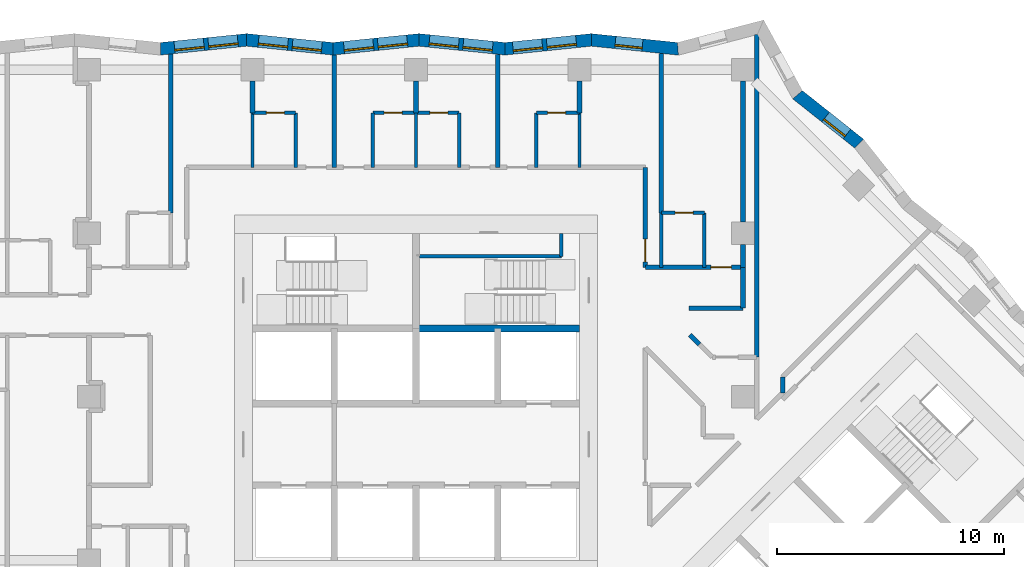
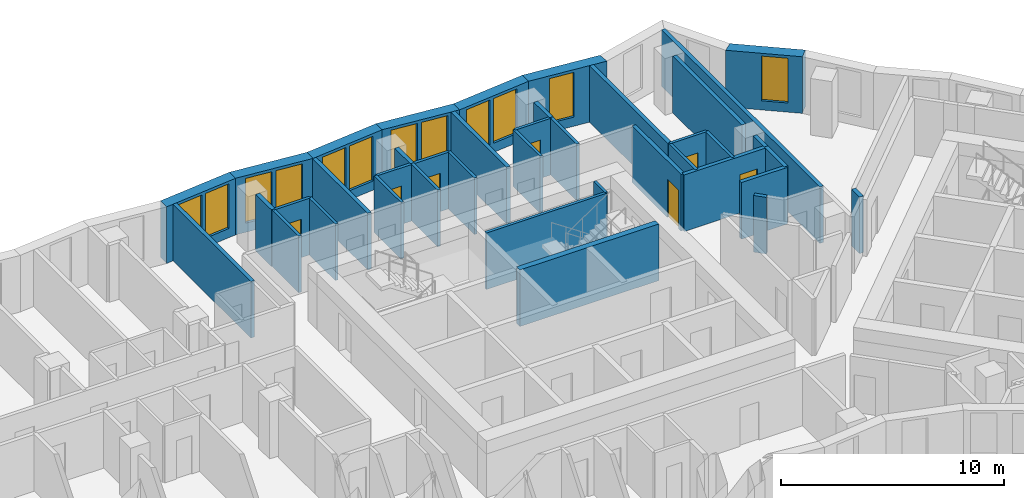
# One storey, part 7 of 13: 39 walls, 12 windows, 7 doors, 19 openings.
"""IFC4 building model written with IfcOpenShell, lengths in metres."""

from ifc_helpers import new_model, si_unit, direction, frame, frame_2d, origin, place, context, subcontext, project, spatial, polyline, rectangle, outline, extrude, material, layer, layer_set, type_object, element, fill, save


model = new_model("IFC4")

# Units and contexts
model_context = context("Model", 3, precision=1e-05, world=origin(), true_north=direction((0.0, 1.0)))
body_context = subcontext(model_context, "Body", "Model", "MODEL_VIEW")
ifc_project = project(units=[si_unit("LENGTHUNIT", "METRE"), si_unit("AREAUNIT", "SQUARE_METRE"), si_unit("VOLUMEUNIT", "CUBIC_METRE"), si_unit("PLANEANGLEUNIT", "RADIAN"), si_unit("MASSUNIT", "GRAM", prefix="KILO")], contexts=[model_context])

# Site, building, storey
site_placement = place(None, origin())
site = spatial("IfcSite", under=ifc_project, at=site_placement, CompositionType="ELEMENT")
building_placement = place(site_placement, origin())
building = spatial("IfcBuilding", under=site, at=building_placement, Name="Windrow Commons", CompositionType="ELEMENT")
storey_placement = place(building_placement, frame((0.0, 0.0, 91.4)))
storey = spatial("IfcBuildingStorey", under=building, at=storey_placement, Name="L24", CompositionType="ELEMENT", Elevation=91.4)

# Wall, opening, window
ifc_material_1 = material(Name="Brick masonry, red clay brick", Category="masonry")
ifc_layer_1 = layer(ifc_material_1, 0.55)
ifc_layer_set_1 = layer_set([ifc_layer_1], Name="Brick facade wall 550")
wall_type_1 = type_object("IfcWallType", Name="Brick facade wall 550", PredefinedType="SOLIDWALL", material=ifc_layer_set_1)
wall_1_placement = place(storey_placement, frame((84.3068, 68.7518, 0.0), z_axis=(0.0, 0.0, 1.0), x_axis=(-0.7831037972, 0.6218910216, 0.0)))
wall_1 = element("IfcWall", 1, at=wall_1_placement, inside=storey, type_object=wall_type_1, Name="Brick facade wall L24 19", PredefinedType="SOLIDWALL", context=body_context, shape_type="SweptSolid", body=[
    extrude(outline(polyline([(-0.0316, -0.275), (3.3985, -0.275), (3.5092, 0.275), (0.0316, 0.275), (-0.0316, -0.275)])), origin(), (0.0, 0.0, 1.0), 3.1),
])
opening_1_placement = place(wall_1_placement, frame((0.6773, 0.0, 0.5)))
opening_1 = element("IfcOpeningElement", 2, at=opening_1_placement, cuts=wall_1, Name="Opening W7D", PredefinedType="OPENING", context=body_context, shape_type="SweptSolid", body=[
    extrude(rectangle(XDim=1.2, YDim=2.45, at=frame_2d((0.6, 1.225))), frame((0.0, 0.285, 0.0), z_axis=(0.0, -1.0, 0.0), x_axis=(1.0, 0.0, 0.0)), (0.0, 0.0, 1.0), 0.57),
])
ifc_material_2 = material(Name="Clear float glass in anodised aluminium frame", Category="aluminium")
window_type_1 = type_object("IfcWindowType", Name="Window W7 notch 1200x2450", PartitioningType="SINGLE_PANEL", PredefinedType="WINDOW", material=ifc_material_2)
window_1_placement = place(opening_1_placement, origin())
window_1 = element("IfcWindow", 3, at=window_1_placement, inside=storey, type_object=window_type_1, Name="Window L24 19.1", OverallHeight=2.45, OverallWidth=1.2, PartitioningType="SINGLE_PANEL", PredefinedType="WINDOW", context=body_context, shape_type="SweptSolid", body=[
    extrude(rectangle(XDim=1.2, YDim=2.45, at=frame_2d((0.6, 1.225))), frame((0.0, 0.155, 0.0), z_axis=(0.0, -1.0, 0.0), x_axis=(1.0, 0.0, 0.0)), (0.0, 0.0, 1.0), 0.06),
])
fill(opening_1, window_1)

wall_2_placement = place(storey_placement, frame((76.3353, 72.9213, 0.0), z_axis=(0.0, 0.0, 1.0), x_axis=(-0.9947305582, 0.1025237367, 0.0)))
wall_2 = element("IfcWall", 4, at=wall_2_placement, inside=storey, type_object=wall_type_1, Name="Brick facade wall L24 22", PredefinedType="SOLIDWALL", context=body_context, shape_type="SweptSolid", body=[
    extrude(outline(polyline([(0.0498, -0.275), (3.8635, -0.275), (3.8069, 0.275), (-0.0498, 0.275), (0.0498, -0.275)])), origin(), (0.0, 0.0, 1.0), 3.1),
])
opening_2_placement = place(wall_2_placement, frame((1.573, 0.0, 0.5)))
opening_2 = element("IfcOpeningElement", 5, at=opening_2_placement, cuts=wall_2, Name="Opening W7D", PredefinedType="OPENING", context=body_context, shape_type="SweptSolid", body=[
    extrude(rectangle(XDim=1.2, YDim=2.45, at=frame_2d((0.6, 1.225))), frame((0.0, 0.285, 0.0), z_axis=(0.0, -1.0, 0.0), x_axis=(1.0, 0.0, 0.0)), (0.0, 0.0, 1.0), 0.57),
])
window_2_placement = place(opening_2_placement, origin())
window_2 = element("IfcWindow", 6, at=window_2_placement, inside=storey, type_object=window_type_1, Name="Window L24 22.1", OverallHeight=2.45, OverallWidth=1.2, PartitioningType="SINGLE_PANEL", PredefinedType="WINDOW", context=body_context, shape_type="SweptSolid", body=[
    extrude(rectangle(XDim=1.2, YDim=2.45, at=frame_2d((0.6, 1.225))), frame((0.0, 0.155, 0.0), z_axis=(0.0, -1.0, 0.0), x_axis=(1.0, 0.0, 0.0)), (0.0, 0.0, 1.0), 0.06),
])
fill(opening_2, window_2)

# Wall, openings, windows
wall_3_placement = place(storey_placement, frame((72.5203, 73.3145, 0.0), z_axis=(0.0, 0.0, 1.0), x_axis=(-0.9947306832, -0.1025225234, 0.0)))
wall_3 = element("IfcWall", 7, at=wall_3_placement, inside=storey, type_object=wall_type_1, Name="Brick facade wall L24 23", PredefinedType="SOLIDWALL", context=body_context, shape_type="SweptSolid", body=[
    extrude(outline(polyline([(-0.0283, -0.275), (3.7854, -0.275), (3.8421, 0.275), (0.0283, 0.275), (-0.0283, -0.275)])), origin(), (0.0, 0.0, 1.0), 3.1),
])
opening_3_placement = place(wall_3_placement, frame((0.6684, 0.0, 0.5)))
opening_3 = element("IfcOpeningElement", 8, at=opening_3_placement, cuts=wall_3, Name="Opening W1P", PredefinedType="OPENING", context=body_context, shape_type="SweptSolid", body=[
    extrude(rectangle(XDim=1.3, YDim=2.45, at=frame_2d((0.65, 1.225))), frame((0.0, 0.285, 0.0), z_axis=(0.0, -1.0, 0.0), x_axis=(1.0, 0.0, 0.0)), (0.0, 0.0, 1.0), 0.57),
])
opening_4_placement = place(wall_3_placement, frame((2.1684, 0.0, 0.5)))
opening_4 = element("IfcOpeningElement", 9, at=opening_4_placement, cuts=wall_3, Name="Opening W1P", PredefinedType="OPENING", context=body_context, shape_type="SweptSolid", body=[
    extrude(rectangle(XDim=1.3, YDim=2.45, at=frame_2d((0.65, 1.225))), frame((0.0, 0.285, 0.0), z_axis=(0.0, -1.0, 0.0), x_axis=(1.0, 0.0, 0.0)), (0.0, 0.0, 1.0), 0.57),
])
ifc_material_3 = material(Name="Clear float glass in anodised aluminium frame", Category="aluminium")
window_type_2 = type_object("IfcWindowType", Name="Window W1P pair 1300x2450", PartitioningType="SINGLE_PANEL", PredefinedType="WINDOW", material=ifc_material_3)
window_3_placement = place(opening_3_placement, origin())
window_3 = element("IfcWindow", 10, at=window_3_placement, inside=storey, type_object=window_type_2, Name="Window L24 23.1A", OverallHeight=2.45, OverallWidth=1.3, PartitioningType="SINGLE_PANEL", PredefinedType="WINDOW", context=body_context, shape_type="SweptSolid", body=[
    extrude(rectangle(XDim=1.3, YDim=2.45, at=frame_2d((0.65, 1.225))), frame((0.0, 0.155, 0.0), z_axis=(0.0, -1.0, 0.0), x_axis=(1.0, 0.0, 0.0)), (0.0, 0.0, 1.0), 0.06),
])
fill(opening_3, window_3)
window_4_placement = place(opening_4_placement, origin())
window_4 = element("IfcWindow", 11, at=window_4_placement, inside=storey, type_object=window_type_2, Name="Window L24 23.1B", OverallHeight=2.45, OverallWidth=1.3, PartitioningType="SINGLE_PANEL", PredefinedType="WINDOW", context=body_context, shape_type="SweptSolid", body=[
    extrude(rectangle(XDim=1.3, YDim=2.45, at=frame_2d((0.65, 1.225))), frame((0.0, 0.155, 0.0), z_axis=(0.0, -1.0, 0.0), x_axis=(1.0, 0.0, 0.0)), (0.0, 0.0, 1.0), 0.06),
])
fill(opening_4, window_4)

wall_4_placement = place(storey_placement, frame((68.7266, 72.9235, 0.0), z_axis=(0.0, 0.0, 1.0), x_axis=(-0.9947306832, 0.1025225234, 0.0)))
wall_4 = element("IfcWall", 12, at=wall_4_placement, inside=storey, type_object=wall_type_1, Name="Brick facade wall L24 24", PredefinedType="SOLIDWALL", context=body_context, shape_type="SweptSolid", body=[
    extrude(outline(polyline([(0.0283, -0.275), (3.8421, -0.275), (3.7854, 0.275), (-0.0283, 0.275), (0.0283, -0.275)])), origin(), (0.0, 0.0, 1.0), 3.1),
])
opening_5_placement = place(wall_4_placement, frame((0.5569, 0.0, 0.5)))
opening_5 = element("IfcOpeningElement", 13, at=opening_5_placement, cuts=wall_4, Name="Opening W1P", PredefinedType="OPENING", context=body_context, shape_type="SweptSolid", body=[
    extrude(rectangle(XDim=1.3, YDim=2.45, at=frame_2d((0.65, 1.225))), frame((0.0, 0.285, 0.0), z_axis=(0.0, -1.0, 0.0), x_axis=(1.0, 0.0, 0.0)), (0.0, 0.0, 1.0), 0.57),
])
opening_6_placement = place(wall_4_placement, frame((2.0569, 0.0, 0.5)))
opening_6 = element("IfcOpeningElement", 14, at=opening_6_placement, cuts=wall_4, Name="Opening W1P", PredefinedType="OPENING", context=body_context, shape_type="SweptSolid", body=[
    extrude(rectangle(XDim=1.3, YDim=2.45, at=frame_2d((0.65, 1.225))), frame((0.0, 0.285, 0.0), z_axis=(0.0, -1.0, 0.0), x_axis=(1.0, 0.0, 0.0)), (0.0, 0.0, 1.0), 0.57),
])
window_5_placement = place(opening_5_placement, origin())
window_5 = element("IfcWindow", 15, at=window_5_placement, inside=storey, type_object=window_type_2, Name="Window L24 24.1A", OverallHeight=2.45, OverallWidth=1.3, PartitioningType="SINGLE_PANEL", PredefinedType="WINDOW", context=body_context, shape_type="SweptSolid", body=[
    extrude(rectangle(XDim=1.3, YDim=2.45, at=frame_2d((0.65, 1.225))), frame((0.0, 0.155, 0.0), z_axis=(0.0, -1.0, 0.0), x_axis=(1.0, 0.0, 0.0)), (0.0, 0.0, 1.0), 0.06),
])
fill(opening_5, window_5)
window_6_placement = place(opening_6_placement, origin())
window_6 = element("IfcWindow", 16, at=window_6_placement, inside=storey, type_object=window_type_2, Name="Window L24 24.1B", OverallHeight=2.45, OverallWidth=1.3, PartitioningType="SINGLE_PANEL", PredefinedType="WINDOW", context=body_context, shape_type="SweptSolid", body=[
    extrude(rectangle(XDim=1.3, YDim=2.45, at=frame_2d((0.65, 1.225))), frame((0.0, 0.155, 0.0), z_axis=(0.0, -1.0, 0.0), x_axis=(1.0, 0.0, 0.0)), (0.0, 0.0, 1.0), 0.06),
])
fill(opening_6, window_6)

wall_5_placement = place(storey_placement, frame((64.9329, 73.3145, 0.0), z_axis=(0.0, 0.0, 1.0), x_axis=(-0.9947304076, -0.1025251975, 0.0)))
wall_5 = element("IfcWall", 17, at=wall_5_placement, inside=storey, type_object=wall_type_1, Name="Brick facade wall L24 25", PredefinedType="SOLIDWALL", context=body_context, shape_type="SweptSolid", body=[
    extrude(outline(polyline([(-0.0283, -0.275), (3.7854, -0.275), (3.8421, 0.275), (0.0283, 0.275), (-0.0283, -0.275)])), origin(), (0.0, 0.0, 1.0), 3.1),
])
opening_7_placement = place(wall_5_placement, frame((0.5211, 0.0, 0.5)))
opening_7 = element("IfcOpeningElement", 18, at=opening_7_placement, cuts=wall_5, Name="Opening W1P", PredefinedType="OPENING", context=body_context, shape_type="SweptSolid", body=[
    extrude(rectangle(XDim=1.3, YDim=2.45, at=frame_2d((0.65, 1.225))), frame((0.0, 0.285, 0.0), z_axis=(0.0, -1.0, 0.0), x_axis=(1.0, 0.0, 0.0)), (0.0, 0.0, 1.0), 0.57),
])
opening_8_placement = place(wall_5_placement, frame((2.0211, 0.0, 0.5)))
opening_8 = element("IfcOpeningElement", 19, at=opening_8_placement, cuts=wall_5, Name="Opening W1P", PredefinedType="OPENING", context=body_context, shape_type="SweptSolid", body=[
    extrude(rectangle(XDim=1.3, YDim=2.45, at=frame_2d((0.65, 1.225))), frame((0.0, 0.285, 0.0), z_axis=(0.0, -1.0, 0.0), x_axis=(1.0, 0.0, 0.0)), (0.0, 0.0, 1.0), 0.57),
])
window_7_placement = place(opening_7_placement, origin())
window_7 = element("IfcWindow", 20, at=window_7_placement, inside=storey, type_object=window_type_2, Name="Window L24 25.1A", OverallHeight=2.45, OverallWidth=1.3, PartitioningType="SINGLE_PANEL", PredefinedType="WINDOW", context=body_context, shape_type="SweptSolid", body=[
    extrude(rectangle(XDim=1.3, YDim=2.45, at=frame_2d((0.65, 1.225))), frame((0.0, 0.155, 0.0), z_axis=(0.0, -1.0, 0.0), x_axis=(1.0, 0.0, 0.0)), (0.0, 0.0, 1.0), 0.06),
])
fill(opening_7, window_7)
window_8_placement = place(opening_8_placement, origin())
window_8 = element("IfcWindow", 21, at=window_8_placement, inside=storey, type_object=window_type_2, Name="Window L24 25.1B", OverallHeight=2.45, OverallWidth=1.3, PartitioningType="SINGLE_PANEL", PredefinedType="WINDOW", context=body_context, shape_type="SweptSolid", body=[
    extrude(rectangle(XDim=1.3, YDim=2.45, at=frame_2d((0.65, 1.225))), frame((0.0, 0.155, 0.0), z_axis=(0.0, -1.0, 0.0), x_axis=(1.0, 0.0, 0.0)), (0.0, 0.0, 1.0), 0.06),
])
fill(opening_8, window_8)

wall_6_placement = place(storey_placement, frame((61.1393, 72.9235, 0.0), z_axis=(0.0, 0.0, 1.0), x_axis=(-0.9947306832, 0.1025225234, 0.0)))
wall_6 = element("IfcWall", 22, at=wall_6_placement, inside=storey, type_object=wall_type_1, Name="Brick facade wall L24 26", PredefinedType="SOLIDWALL", context=body_context, shape_type="SweptSolid", body=[
    extrude(outline(polyline([(0.0283, -0.275), (3.8421, -0.275), (3.7854, 0.275), (-0.0283, 0.275), (0.0283, -0.275)])), origin(), (0.0, 0.0, 1.0), 3.1),
])
opening_9_placement = place(wall_6_placement, frame((0.4927, 0.0, 0.5)))
opening_9 = element("IfcOpeningElement", 23, at=opening_9_placement, cuts=wall_6, Name="Opening W1P", PredefinedType="OPENING", context=body_context, shape_type="SweptSolid", body=[
    extrude(rectangle(XDim=1.3, YDim=2.45, at=frame_2d((0.65, 1.225))), frame((0.0, 0.285, 0.0), z_axis=(0.0, -1.0, 0.0), x_axis=(1.0, 0.0, 0.0)), (0.0, 0.0, 1.0), 0.57),
])
opening_10_placement = place(wall_6_placement, frame((1.9927, 0.0, 0.5)))
opening_10 = element("IfcOpeningElement", 24, at=opening_10_placement, cuts=wall_6, Name="Opening W1P", PredefinedType="OPENING", context=body_context, shape_type="SweptSolid", body=[
    extrude(rectangle(XDim=1.3, YDim=2.45, at=frame_2d((0.65, 1.225))), frame((0.0, 0.285, 0.0), z_axis=(0.0, -1.0, 0.0), x_axis=(1.0, 0.0, 0.0)), (0.0, 0.0, 1.0), 0.57),
])
window_9_placement = place(opening_9_placement, origin())
window_9 = element("IfcWindow", 25, at=window_9_placement, inside=storey, type_object=window_type_2, Name="Window L24 26.1A", OverallHeight=2.45, OverallWidth=1.3, PartitioningType="SINGLE_PANEL", PredefinedType="WINDOW", context=body_context, shape_type="SweptSolid", body=[
    extrude(rectangle(XDim=1.3, YDim=2.45, at=frame_2d((0.65, 1.225))), frame((0.0, 0.155, 0.0), z_axis=(0.0, -1.0, 0.0), x_axis=(1.0, 0.0, 0.0)), (0.0, 0.0, 1.0), 0.06),
])
fill(opening_9, window_9)
window_10_placement = place(opening_10_placement, origin())
window_10 = element("IfcWindow", 26, at=window_10_placement, inside=storey, type_object=window_type_2, Name="Window L24 26.1B", OverallHeight=2.45, OverallWidth=1.3, PartitioningType="SINGLE_PANEL", PredefinedType="WINDOW", context=body_context, shape_type="SweptSolid", body=[
    extrude(rectangle(XDim=1.3, YDim=2.45, at=frame_2d((0.65, 1.225))), frame((0.0, 0.155, 0.0), z_axis=(0.0, -1.0, 0.0), x_axis=(1.0, 0.0, 0.0)), (0.0, 0.0, 1.0), 0.06),
])
fill(opening_10, window_10)

wall_7_placement = place(storey_placement, frame((57.3456, 73.3145, 0.0), z_axis=(0.0, 0.0, 1.0), x_axis=(-0.9947304076, -0.1025251975, 0.0)))
wall_7 = element("IfcWall", 27, at=wall_7_placement, inside=storey, type_object=wall_type_1, Name="Brick facade wall L24 27", PredefinedType="SOLIDWALL", context=body_context, shape_type="SweptSolid", body=[
    extrude(outline(polyline([(-0.0283, -0.275), (3.7854, -0.275), (3.8421, 0.275), (0.0283, 0.275), (-0.0283, -0.275)])), origin(), (0.0, 0.0, 1.0), 3.1),
])
opening_11_placement = place(wall_7_placement, frame((0.3958, 0.0, 0.5)))
opening_11 = element("IfcOpeningElement", 28, at=opening_11_placement, cuts=wall_7, Name="Opening W1P", PredefinedType="OPENING", context=body_context, shape_type="SweptSolid", body=[
    extrude(rectangle(XDim=1.3, YDim=2.45, at=frame_2d((0.65, 1.225))), frame((0.0, 0.285, 0.0), z_axis=(0.0, -1.0, 0.0), x_axis=(1.0, 0.0, 0.0)), (0.0, 0.0, 1.0), 0.57),
])
opening_12_placement = place(wall_7_placement, frame((1.8958, 0.0, 0.5)))
opening_12 = element("IfcOpeningElement", 29, at=opening_12_placement, cuts=wall_7, Name="Opening W1P", PredefinedType="OPENING", context=body_context, shape_type="SweptSolid", body=[
    extrude(rectangle(XDim=1.3, YDim=2.45, at=frame_2d((0.65, 1.225))), frame((0.0, 0.285, 0.0), z_axis=(0.0, -1.0, 0.0), x_axis=(1.0, 0.0, 0.0)), (0.0, 0.0, 1.0), 0.57),
])
window_11_placement = place(opening_11_placement, origin())
window_11 = element("IfcWindow", 30, at=window_11_placement, inside=storey, type_object=window_type_2, Name="Window L24 27.1A", OverallHeight=2.45, OverallWidth=1.3, PartitioningType="SINGLE_PANEL", PredefinedType="WINDOW", context=body_context, shape_type="SweptSolid", body=[
    extrude(rectangle(XDim=1.3, YDim=2.45, at=frame_2d((0.65, 1.225))), frame((0.0, 0.155, 0.0), z_axis=(0.0, -1.0, 0.0), x_axis=(1.0, 0.0, 0.0)), (0.0, 0.0, 1.0), 0.06),
])
fill(opening_11, window_11)
window_12_placement = place(opening_12_placement, origin())
window_12 = element("IfcWindow", 31, at=window_12_placement, inside=storey, type_object=window_type_2, Name="Window L24 27.1B", OverallHeight=2.45, OverallWidth=1.3, PartitioningType="SINGLE_PANEL", PredefinedType="WINDOW", context=body_context, shape_type="SweptSolid", body=[
    extrude(rectangle(XDim=1.3, YDim=2.45, at=frame_2d((0.65, 1.225))), frame((0.0, 0.155, 0.0), z_axis=(0.0, -1.0, 0.0), x_axis=(1.0, 0.0, 0.0)), (0.0, 0.0, 1.0), 0.06),
])
fill(opening_12, window_12)

# Wall, opening, door
ifc_material_4 = material(Name="Blockwork partition", Category="masonry")
ifc_layer_2 = layer(ifc_material_4, 0.2)
ifc_layer_set_2 = layer_set([ifc_layer_2], Name="IW-CORRIDOR-200")
wall_type_2 = type_object("IfcWallType", Name="IW-CORRIDOR-200", PredefinedType="PARTITIONING", material=ifc_layer_set_2)
wall_8_placement = place(storey_placement, frame((74.9, 63.302, 0.0), z_axis=(0.0, 0.0, 1.0), x_axis=(0.0, 1.0, 0.0)))
wall_8 = element("IfcWall", 32, at=wall_8_placement, inside=storey, type_object=wall_type_2, Name="W-L24-W048", PredefinedType="PARTITIONING", context=body_context, shape_type="SweptSolid", body=[
    extrude(rectangle(XDim=4.398, YDim=0.2, at=frame_2d((2.199, 0.0))), origin(), (0.0, 0.0, 1.0), 3.1),
])
opening_13_placement = place(wall_8_placement, frame((0.2417, 0.0, 0.0)))
opening_13 = element("IfcOpeningElement", 33, at=opening_13_placement, cuts=wall_8, Name="Opening D310F", PredefinedType="OPENING", context=body_context, shape_type="SweptSolid", body=[
    extrude(rectangle(XDim=1.0, YDim=2.1, at=frame_2d((0.5, 1.05))), frame((0.0, 0.11, 0.0), z_axis=(0.0, -1.0, 0.0), x_axis=(1.0, 0.0, 0.0)), (0.0, 0.0, 1.0), 0.22),
])
ifc_material_5 = material(Name="Timber door leaf", Category="wood")
door_type_1 = type_object("IfcDoorType", Name="DT-AMENITY-1000", OperationType="SINGLE_SWING_LEFT", PredefinedType="DOOR", material=ifc_material_5)
door_1_placement = place(opening_13_placement, origin())
door_1 = element("IfcDoor", 34, at=door_1_placement, inside=storey, type_object=door_type_1, Name="D-L24-D022", OperationType="SINGLE_SWING_RIGHT", OverallHeight=2.1, OverallWidth=1.0, PredefinedType="DOOR", context=body_context, shape_type="SweptSolid", body=[
    extrude(rectangle(XDim=1.0, YDim=2.1, at=frame_2d((0.5, 1.05))), frame((0.0, 0.025, 0.0), z_axis=(0.0, -1.0, 0.0), x_axis=(1.0, 0.0, 0.0)), (0.0, 0.0, 1.0), 0.05),
])
fill(opening_13, door_1)

wall_9_placement = place(storey_placement, frame((74.902, 63.3, 0.0), z_axis=(0.0, 0.0, 1.0), x_axis=(1.0, 0.0, 0.0)))
wall_9 = element("IfcWall", 35, at=wall_9_placement, inside=storey, type_object=wall_type_2, Name="W-L24-W051", PredefinedType="PARTITIONING", context=body_context, shape_type="SweptSolid", body=[
    extrude(rectangle(XDim=4.298, YDim=0.2, at=frame_2d((2.149, 0.0))), origin(), (0.0, 0.0, 1.0), 3.1),
])
opening_14_placement = place(wall_9_placement, frame((2.888, 0.0, 0.0)))
opening_14 = element("IfcOpeningElement", 36, at=opening_14_placement, cuts=wall_9, Name="Opening D109S", PredefinedType="OPENING", context=body_context, shape_type="SweptSolid", body=[
    extrude(rectangle(XDim=0.9, YDim=2.1, at=frame_2d((0.45, 1.05))), frame((0.0, 0.11, 0.0), z_axis=(0.0, -1.0, 0.0), x_axis=(1.0, 0.0, 0.0)), (0.0, 0.0, 1.0), 0.22),
])
ifc_material_6 = material(Name="Timber door leaf", Category="wood")
door_type_2 = type_object("IfcDoorType", Name="DT-BEDROOM-900", OperationType="SINGLE_SWING_LEFT", PredefinedType="DOOR", material=ifc_material_6)
door_2_placement = place(opening_14_placement, origin())
door_2 = element("IfcDoor", 37, at=door_2_placement, inside=storey, type_object=door_type_2, Name="D-L24-D023", OperationType="SINGLE_SWING_LEFT", OverallHeight=2.1, OverallWidth=0.9, PredefinedType="DOOR", context=body_context, shape_type="SweptSolid", body=[
    extrude(rectangle(XDim=0.9, YDim=2.1, at=frame_2d((0.45, 1.05))), frame((0.0, 0.025, 0.0), z_axis=(0.0, -1.0, 0.0), x_axis=(1.0, 0.0, 0.0)), (0.0, 0.0, 1.0), 0.05),
])
fill(opening_14, door_2)

# Walls
wall_10_placement = place(storey_placement, frame((76.83, 61.5, 0.0), z_axis=(0.0, 0.0, 1.0), x_axis=(1.0, 0.0, 0.0)))
element("IfcWall", 38, at=wall_10_placement, inside=storey, type_object=wall_type_2, Name="W-L24-W113", PredefinedType="PARTITIONING", context=body_context, shape_type="SweptSolid", body=[
    extrude(rectangle(XDim=2.37, YDim=0.2, at=frame_2d((1.185, 0.0))), origin(), (0.0, 0.0, 1.0), 3.1),
])
wall_11_placement = place(storey_placement, frame((79.2, 61.502, 0.0), z_axis=(0.0, 0.0, 1.0), x_axis=(0.0, 1.0, 0.0)))
element("IfcWall", 39, at=wall_11_placement, inside=storey, type_object=wall_type_2, Name="W-L24-W154", PredefinedType="PARTITIONING", context=body_context, shape_type="SweptSolid", body=[
    extrude(rectangle(XDim=1.798, YDim=0.2, at=frame_2d((0.899, 0.0))), origin(), (0.0, 0.0, 1.0), 3.1),
])
wall_12_placement = place(storey_placement, frame((76.8654, 60.3274, 0.0), z_axis=(0.0, 0.0, 1.0), x_axis=(0.7071067812, -0.7071067812, 0.0)))
element("IfcWall", 40, at=wall_12_placement, inside=storey, type_object=wall_type_2, Name="W-L24-W204", PredefinedType="PARTITIONING", context=body_context, shape_type="SweptSolid", body=[
    extrude(rectangle(XDim=0.5968, YDim=0.2, at=frame_2d((0.2984, 0.0))), origin(), (0.0, 0.0, 1.0), 3.1),
])

# Wall, openings, doors
ifc_material_7 = material(Name="Blockwork partition", Category="masonry")
ifc_layer_3 = layer(ifc_material_7, 0.15)
ifc_layer_set_3 = layer_set([ifc_layer_3], Name="IW-ENSUITE-150")
wall_type_3 = type_object("IfcWallType", Name="IW-ENSUITE-150", PredefinedType="PARTITIONING", material=ifc_layer_set_3)
wall_13_placement = place(storey_placement, frame((62.9, 70.1, 0.0), z_axis=(0.0, 0.0, 1.0), x_axis=(1.0, 0.0, 0.0)))
wall_13 = element("IfcWall", 41, at=wall_13_placement, inside=storey, type_object=wall_type_3, Name="W-L24-W055", PredefinedType="PARTITIONING", context=body_context, shape_type="SweptSolid", body=[
    extrude(rectangle(XDim=3.8, YDim=0.15, at=frame_2d((1.9, 0.0))), origin(), (0.0, 0.0, 1.0), 3.1),
])
opening_15_placement = place(wall_13_placement, frame((0.4931, 0.0, 0.0)))
opening_15 = element("IfcOpeningElement", 42, at=opening_15_placement, cuts=wall_13, Name="Opening D208N", PredefinedType="OPENING", context=body_context, shape_type="SweptSolid", body=[
    extrude(rectangle(XDim=0.8, YDim=2.1, at=frame_2d((0.4, 1.05))), frame((0.0, 0.085, 0.0), z_axis=(0.0, -1.0, 0.0), x_axis=(1.0, 0.0, 0.0)), (0.0, 0.0, 1.0), 0.17),
])
opening_16_placement = place(wall_13_placement, frame((2.5069, 0.0, 0.0)))
opening_16 = element("IfcOpeningElement", 43, at=opening_16_placement, cuts=wall_13, Name="Opening D208N", PredefinedType="OPENING", context=body_context, shape_type="SweptSolid", body=[
    extrude(rectangle(XDim=0.8, YDim=2.1, at=frame_2d((0.4, 1.05))), frame((0.0, 0.085, 0.0), z_axis=(0.0, -1.0, 0.0), x_axis=(1.0, 0.0, 0.0)), (0.0, 0.0, 1.0), 0.17),
])
ifc_material_8 = material(Name="Timber door leaf", Category="wood")
door_type_3 = type_object("IfcDoorType", Name="DT-ENSUITE-800", OperationType="SINGLE_SWING_LEFT", PredefinedType="DOOR", material=ifc_material_8)
door_3_placement = place(opening_15_placement, origin())
door_3 = element("IfcDoor", 44, at=door_3_placement, inside=storey, type_object=door_type_3, Name="D-L24-D032", OperationType="SINGLE_SWING_RIGHT", OverallHeight=2.1, OverallWidth=0.8, PredefinedType="DOOR", context=body_context, shape_type="SweptSolid", body=[
    extrude(rectangle(XDim=0.8, YDim=2.1, at=frame_2d((0.4, 1.05))), frame((0.0, 0.025, 0.0), z_axis=(0.0, -1.0, 0.0), x_axis=(1.0, 0.0, 0.0)), (0.0, 0.0, 1.0), 0.05),
])
fill(opening_15, door_3)
door_4_placement = place(opening_16_placement, origin())
door_4 = element("IfcDoor", 45, at=door_4_placement, inside=storey, type_object=door_type_3, Name="D-L24-D034", OperationType="SINGLE_SWING_RIGHT", OverallHeight=2.1, OverallWidth=0.8, PredefinedType="DOOR", context=body_context, shape_type="SweptSolid", body=[
    extrude(rectangle(XDim=0.8, YDim=2.1, at=frame_2d((0.4, 1.05))), frame((0.0, 0.025, 0.0), z_axis=(0.0, -1.0, 0.0), x_axis=(1.0, 0.0, 0.0)), (0.0, 0.0, 1.0), 0.05),
])
fill(opening_16, door_4)

# Walls
for number, where, z_axis, x_axis, name in (
    (46, (75.6, 63.3, 0.0), (0.0, 0.0, 1.0), (0.0, 1.0, 0.0), "W-L24-W075"),
    (47, (77.5, 63.3, 0.0), (0.0, 0.0, 1.0), (0.0, 1.0, 0.0), "W-L24-W076"),
    (48, (59.5, 67.7, 0.0), (0.0, 0.0, 1.0), (0.0, 1.0, 0.0), "W-L24-W092"),
    (49, (57.6, 67.7, 0.0), (0.0, 0.0, 1.0), (0.0, 1.0, 0.0), "W-L24-W093"),
    (50, (62.9, 67.7, 0.0), (0.0, 0.0, 1.0), (0.0, 1.0, 0.0), "W-L24-W094"),
    (51, (64.8, 67.7, 0.0), (0.0, 0.0, 1.0), (0.0, 1.0, 0.0), "W-L24-W095"),
    (52, (66.7, 67.7, 0.0), (0.0, 0.0, 1.0), (0.0, 1.0, 0.0), "W-L24-W096"),
    (53, (70.1, 67.7, 0.0), (0.0, 0.0, 1.0), (0.0, 1.0, 0.0), "W-L24-W097"),
    (54, (72.0, 67.7, 0.0), (0.0, 0.0, 1.0), (0.0, 1.0, 0.0), "W-L24-W098"),
):
    element("IfcWall", number, at=place(storey_placement, frame(where, z_axis=z_axis, x_axis=x_axis)), inside=storey, type_object=wall_type_3, Name=name, PredefinedType="PARTITIONING", context=body_context, shape_type="SweptSolid", body=[
        extrude(rectangle(XDim=2.4, YDim=0.15, at=frame_2d((1.2, 0.0))), origin(), (0.0, 0.0, 1.0), 3.1),
    ])

# Wall, opening, door
wall_14_placement = place(storey_placement, frame((75.6, 65.7, 0.0), z_axis=(0.0, 0.0, 1.0), x_axis=(1.0, 0.0, 0.0)))
wall_14 = element("IfcWall", 55, at=wall_14_placement, inside=storey, type_object=wall_type_3, Name="W-L24-W136", PredefinedType="PARTITIONING", context=body_context, shape_type="SweptSolid", body=[
    extrude(rectangle(XDim=1.9, YDim=0.15, at=frame_2d((0.95, 0.0))), origin(), (0.0, 0.0, 1.0), 3.1),
])
opening_17_placement = place(wall_14_placement, frame((0.6069, 0.0, 0.0)))
opening_17 = element("IfcOpeningElement", 56, at=opening_17_placement, cuts=wall_14, Name="Opening D208N", PredefinedType="OPENING", context=body_context, shape_type="SweptSolid", body=[
    extrude(rectangle(XDim=0.8, YDim=2.1, at=frame_2d((0.4, 1.05))), frame((0.0, 0.085, 0.0), z_axis=(0.0, -1.0, 0.0), x_axis=(1.0, 0.0, 0.0)), (0.0, 0.0, 1.0), 0.17),
])
door_5_placement = place(opening_17_placement, origin())
door_5 = element("IfcDoor", 57, at=door_5_placement, inside=storey, type_object=door_type_3, Name="D-L24-D024", OperationType="SINGLE_SWING_RIGHT", OverallHeight=2.1, OverallWidth=0.8, PredefinedType="DOOR", context=body_context, shape_type="SweptSolid", body=[
    extrude(rectangle(XDim=0.8, YDim=2.1, at=frame_2d((0.4, 1.05))), frame((0.0, 0.025, 0.0), z_axis=(0.0, -1.0, 0.0), x_axis=(1.0, 0.0, 0.0)), (0.0, 0.0, 1.0), 0.05),
])
fill(opening_17, door_5)

wall_15_placement = place(storey_placement, frame((70.1, 70.1, 0.0), z_axis=(0.0, 0.0, 1.0), x_axis=(1.0, 0.0, 0.0)))
wall_15 = element("IfcWall", 58, at=wall_15_placement, inside=storey, type_object=wall_type_3, Name="W-L24-W137", PredefinedType="PARTITIONING", context=body_context, shape_type="SweptSolid", body=[
    extrude(rectangle(XDim=1.9, YDim=0.15, at=frame_2d((0.95, 0.0))), origin(), (0.0, 0.0, 1.0), 3.1),
])
opening_18_placement = place(wall_15_placement, frame((0.4931, 0.0, 0.0)))
opening_18 = element("IfcOpeningElement", 59, at=opening_18_placement, cuts=wall_15, Name="Opening D208N", PredefinedType="OPENING", context=body_context, shape_type="SweptSolid", body=[
    extrude(rectangle(XDim=0.8, YDim=2.1, at=frame_2d((0.4, 1.05))), frame((0.0, 0.085, 0.0), z_axis=(0.0, -1.0, 0.0), x_axis=(1.0, 0.0, 0.0)), (0.0, 0.0, 1.0), 0.17),
])
door_6_placement = place(opening_18_placement, origin())
door_6 = element("IfcDoor", 60, at=door_6_placement, inside=storey, type_object=door_type_3, Name="D-L24-D036", OperationType="SINGLE_SWING_RIGHT", OverallHeight=2.1, OverallWidth=0.8, PredefinedType="DOOR", context=body_context, shape_type="SweptSolid", body=[
    extrude(rectangle(XDim=0.8, YDim=2.1, at=frame_2d((0.4, 1.05))), frame((0.0, 0.025, 0.0), z_axis=(0.0, -1.0, 0.0), x_axis=(1.0, 0.0, 0.0)), (0.0, 0.0, 1.0), 0.05),
])
fill(opening_18, door_6)

wall_16_placement = place(storey_placement, frame((57.6, 70.1, 0.0), z_axis=(0.0, 0.0, 1.0), x_axis=(1.0, 0.0, 0.0)))
wall_16 = element("IfcWall", 61, at=wall_16_placement, inside=storey, type_object=wall_type_3, Name="W-L24-W143", PredefinedType="PARTITIONING", context=body_context, shape_type="SweptSolid", body=[
    extrude(rectangle(XDim=1.9, YDim=0.15, at=frame_2d((0.95, 0.0))), origin(), (0.0, 0.0, 1.0), 3.1),
])
opening_19_placement = place(wall_16_placement, frame((0.6069, 0.0, 0.0)))
opening_19 = element("IfcOpeningElement", 62, at=opening_19_placement, cuts=wall_16, Name="Opening D208N", PredefinedType="OPENING", context=body_context, shape_type="SweptSolid", body=[
    extrude(rectangle(XDim=0.8, YDim=2.1, at=frame_2d((0.4, 1.05))), frame((0.0, 0.085, 0.0), z_axis=(0.0, -1.0, 0.0), x_axis=(1.0, 0.0, 0.0)), (0.0, 0.0, 1.0), 0.17),
])
door_7_placement = place(opening_19_placement, origin())
door_7 = element("IfcDoor", 63, at=door_7_placement, inside=storey, type_object=door_type_3, Name="D-L24-D030", OperationType="SINGLE_SWING_RIGHT", OverallHeight=2.1, OverallWidth=0.8, PredefinedType="DOOR", context=body_context, shape_type="SweptSolid", body=[
    extrude(rectangle(XDim=0.8, YDim=2.1, at=frame_2d((0.4, 1.05))), frame((0.0, 0.025, 0.0), z_axis=(0.0, -1.0, 0.0), x_axis=(1.0, 0.0, 0.0)), (0.0, 0.0, 1.0), 0.05),
])
fill(opening_19, door_7)

# Walls
ifc_material_9 = material(Name="Blockwork partition", Category="masonry")
ifc_layer_4 = layer(ifc_material_9, 0.2)
ifc_layer_set_4 = layer_set([ifc_layer_4], Name="IW-PARTY-200")
wall_type_4 = type_object("IfcWallType", Name="IW-PARTY-200", PredefinedType="PARTITIONING", material=ifc_layer_set_4)
wall_17_placement = place(storey_placement, frame((79.8, 59.35, 0.0), z_axis=(0.0, 0.0, 1.0), x_axis=(0.0, 1.0, 0.0)))
element("IfcWall", 64, at=wall_17_placement, inside=storey, type_object=wall_type_4, Name="W-L24-W005", PredefinedType="PARTITIONING", context=body_context, shape_type="SweptSolid", body=[
    extrude(rectangle(XDim=14.1922, YDim=0.2, at=frame_2d((7.0961, 0.0))), origin(), (0.0, 0.0, 1.0), 3.1),
])
wall_18_placement = place(storey_placement, frame((75.6, 65.7, 0.0), z_axis=(0.0, 0.0, 1.0), x_axis=(0.0, 1.0, 0.0)))
element("IfcWall", 65, at=wall_18_placement, inside=storey, type_object=wall_type_4, Name="W-L24-W022", PredefinedType="PARTITIONING", context=body_context, shape_type="SweptSolid", body=[
    extrude(rectangle(XDim=7.0207, YDim=0.2, at=frame_2d((3.5103, 0.0))), origin(), (0.0, 0.0, 1.0), 3.1),
])
wall_19_placement = place(storey_placement, frame((54.0, 65.7, 0.0), z_axis=(0.0, 0.0, 1.0), x_axis=(0.0, 1.0, 0.0)))
element("IfcWall", 66, at=wall_19_placement, inside=storey, type_object=wall_type_4, Name="W-L24-W023", PredefinedType="PARTITIONING", context=body_context, shape_type="SweptSolid", body=[
    extrude(rectangle(XDim=6.9933, YDim=0.2, at=frame_2d((3.4966, 0.0))), origin(), (0.0, 0.0, 1.0), 3.1),
])
wall_20_placement = place(storey_placement, frame((79.2, 65.3, 0.0), z_axis=(0.0, 0.0, 1.0), x_axis=(0.0, 1.0, 0.0)))
element("IfcWall", 67, at=wall_20_placement, inside=storey, type_object=wall_type_4, Name="W-L24-W027", PredefinedType="PARTITIONING", context=body_context, shape_type="SweptSolid", body=[
    extrude(rectangle(XDim=6.2, YDim=0.2, at=frame_2d((3.1, 0.0))), origin(), (0.0, 0.0, 1.0), 3.1),
])
wall_21_placement = place(storey_placement, frame((68.4, 67.7, 0.0), z_axis=(0.0, 0.0, 1.0), x_axis=(0.0, 1.0, 0.0)))
element("IfcWall", 68, at=wall_21_placement, inside=storey, type_object=wall_type_4, Name="W-L24-W043", PredefinedType="PARTITIONING", context=body_context, shape_type="SweptSolid", body=[
    extrude(rectangle(XDim=4.9807, YDim=0.2, at=frame_2d((2.4903, 0.0))), origin(), (0.0, 0.0, 1.0), 3.1),
])
wall_22_placement = place(storey_placement, frame((61.2, 67.7, 0.0), z_axis=(0.0, 0.0, 1.0), x_axis=(0.0, 1.0, 0.0)))
element("IfcWall", 69, at=wall_22_placement, inside=storey, type_object=wall_type_4, Name="W-L24-W044", PredefinedType="PARTITIONING", context=body_context, shape_type="SweptSolid", body=[
    extrude(rectangle(XDim=4.9533, YDim=0.2, at=frame_2d((2.4766, 0.0))), origin(), (0.0, 0.0, 1.0), 3.1),
])
for number, where, z_axis, x_axis, name in (
    (70, (57.6, 70.1, 0.0), (0.0, 0.0, 1.0), (0.0, 1.0, 0.0), "W-L24-W166"),
    (71, (64.8, 70.1, 0.0), (0.0, 0.0, 1.0), (0.0, 1.0, 0.0), "W-L24-W167"),
    (72, (72.0, 70.1, 0.0), (0.0, 0.0, 1.0), (0.0, 1.0, 0.0), "W-L24-W168"),
):
    element("IfcWall", number, at=place(storey_placement, frame(where, z_axis=z_axis, x_axis=x_axis)), inside=storey, type_object=wall_type_4, Name=name, PredefinedType="PARTITIONING", context=body_context, shape_type="SweptSolid", body=[
        extrude(rectangle(XDim=1.4, YDim=0.2, at=frame_2d((0.7, 0.0))), origin(), (0.0, 0.0, 1.0), 3.1),
    ])
wall_23_placement = place(storey_placement, frame((79.2, 63.3, 0.0), z_axis=(0.0, 0.0, 1.0), x_axis=(0.0, 1.0, 0.0)))
element("IfcWall", 73, at=wall_23_placement, inside=storey, type_object=wall_type_4, Name="W-L24-W183", PredefinedType="PARTITIONING", context=body_context, shape_type="SweptSolid", body=[
    extrude(rectangle(XDim=1.0, YDim=0.2, at=frame_2d((0.5, 0.0))), origin(), (0.0, 0.0, 1.0), 3.1),
])
wall_24_placement = place(storey_placement, frame((80.95, 57.77, 0.0), z_axis=(0.0, 0.0, 1.0), x_axis=(0.0, 1.0, 0.0)))
element("IfcWall", 74, at=wall_24_placement, inside=storey, type_object=wall_type_4, Name="W-L24-W189", PredefinedType="PARTITIONING", context=body_context, shape_type="SweptSolid", body=[
    extrude(rectangle(XDim=0.706, YDim=0.2, at=frame_2d((0.353, 0.0))), origin(), (0.0, 0.0, 1.0), 3.1),
])
ifc_material_10 = material(Name="Concrete C50/60", Category="concrete")
ifc_layer_5 = layer(ifc_material_10, 0.3)
ifc_layer_set_5 = layer_set([ifc_layer_5], Name="RC SHAFT WALL 300 C50/60")
wall_type_5 = type_object("IfcWallType", Name="RC SHAFT WALL 300 C50/60", PredefinedType="SOLIDWALL", material=ifc_layer_set_5)
wall_25_placement = place(storey_placement, frame((64.8, 60.6, 0.0), z_axis=(0.0, 0.0, 1.0), x_axis=(1.0, 0.0, 0.0)))
element("IfcWall", 75, at=wall_25_placement, inside=storey, type_object=wall_type_5, Name="Core A wall stair-S2", PredefinedType="SOLIDWALL", context=body_context, shape_type="SweptSolid", body=[
    extrude(rectangle(XDim=7.2, YDim=0.3, at=frame_2d((3.6, 0.0))), origin(), (0.0, 0.0, 1.0), 3.1),
])
ifc_material_11 = material(Name="Blockwork partition", Category="masonry")
ifc_layer_6 = layer(ifc_material_11, 0.15)
ifc_layer_set_6 = layer_set([ifc_layer_6], Name="Riser partition 150")
wall_type_6 = type_object("IfcWallType", Name="Riser partition 150", PredefinedType="PARTITIONING", material=ifc_layer_set_6)
wall_26_placement = place(storey_placement, frame((64.95, 63.78, 0.0), z_axis=(0.0, 0.0, 1.0), x_axis=(1.0, 0.0, 0.0)))
element("IfcWall", 76, at=wall_26_placement, inside=storey, type_object=wall_type_6, Name="W-core-strip-A-L24", PredefinedType="PARTITIONING", context=body_context, shape_type="SweptSolid", body=[
    extrude(rectangle(XDim=6.25, YDim=0.15, at=frame_2d((3.125, 0.0))), origin(), (0.0, 0.0, 1.0), 3.1),
])
wall_27_placement = place(storey_placement, frame((71.2, 63.78, 0.0), z_axis=(0.0, 0.0, 1.0), x_axis=(0.0, 1.0, 0.0)))
element("IfcWall", 77, at=wall_27_placement, inside=storey, type_object=wall_type_6, Name="W-core-stripx-A-L24-1", PredefinedType="PARTITIONING", context=body_context, shape_type="SweptSolid", body=[
    extrude(rectangle(XDim=1.02, YDim=0.15, at=frame_2d((0.51, 0.0))), origin(), (0.0, 0.0, 1.0), 3.1),
])

save(model, "model.ifc")
